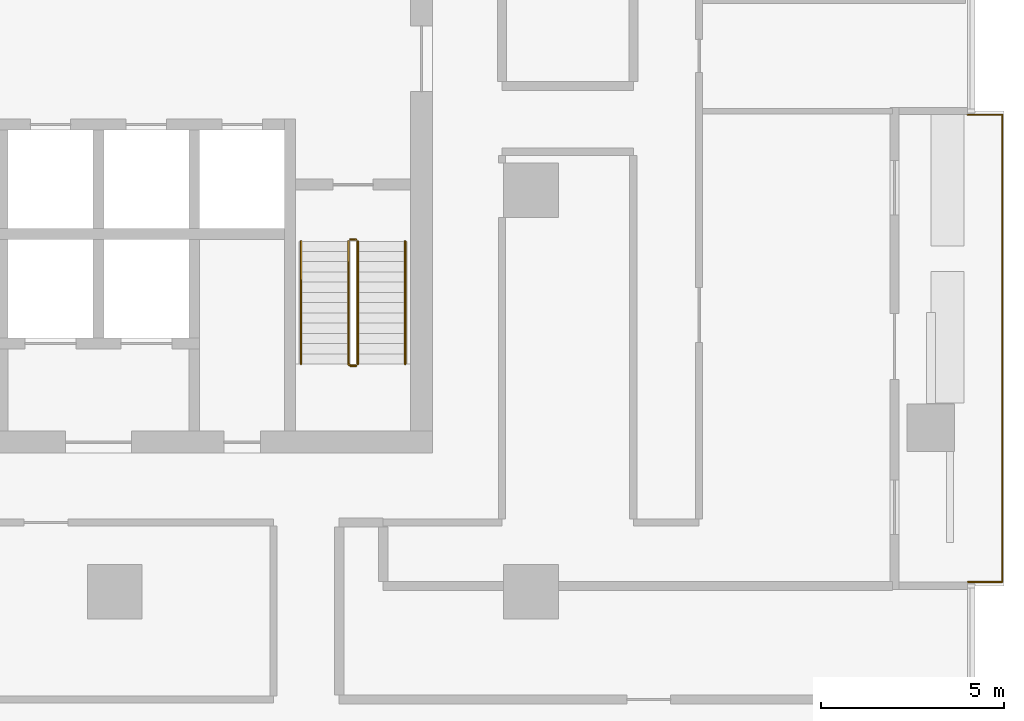
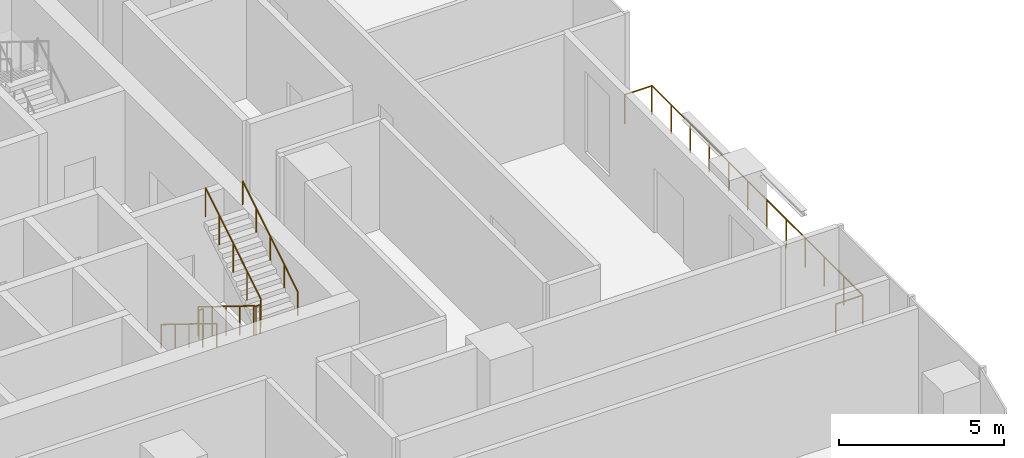
# One storey, part 13 of 14: 6 railings.
"""IFC4 building model written with IfcOpenShell, lengths in metres."""

from ifc_helpers import new_model, si_unit, direction, frame, origin, origin_2d, place, context, subcontext, project, spatial, circle, extrude, material, type_object, element, save


model = new_model("IFC4")

# Units and contexts
model_context = context("Model", 3, precision=1e-05, world=origin(), true_north=direction((0.0, 1.0)))
body_context = subcontext(model_context, "Body", "Model", "MODEL_VIEW")
ifc_project = project(units=[si_unit("LENGTHUNIT", "METRE"), si_unit("AREAUNIT", "SQUARE_METRE"), si_unit("VOLUMEUNIT", "CUBIC_METRE"), si_unit("PLANEANGLEUNIT", "RADIAN"), si_unit("MASSUNIT", "GRAM", prefix="KILO")], contexts=[model_context])

# Site, building, storey
site_placement = place(None, origin())
site = spatial("IfcSite", under=ifc_project, at=site_placement, CompositionType="ELEMENT")
building_placement = place(site_placement, origin())
building = spatial("IfcBuilding", under=site, at=building_placement, Name="Mopane Tessera Tower", CompositionType="ELEMENT")
storey_placement = place(building_placement, frame((0.0, 0.0, 139.60009765625)))
storey = spatial("IfcBuildingStorey", under=building, at=storey_placement, Name="L28", CompositionType="ELEMENT", Elevation=139.60009765625)

# Railings
ifc_material_1 = material(Name="Powder-coated steel balustrade", Category="steel")
railing_type_1 = type_object("IfcRailingType", Name="Escape stair guard 1100 mm", PredefinedType="GUARDRAIL", material=ifc_material_1)
railing_1_placement = place(storey_placement, frame((12.10009765625, -1.39990234375, 0.173095703125)))
element("IfcRailing", 1, at=railing_1_placement, inside=storey, type_object=railing_type_1, Name="L28 ST3 stair guard 1", PredefinedType="GUARDRAIL", context=body_context, shape_type="SweptSolid", body=[
    extrude(circle(Radius=0.02392578125, at=origin_2d()), frame((0.0, 0.0, 1.076171875), z_axis=(0.0, -0.850623216509, 0.525775754039), x_axis=(1.0, 0.0, 0.0)), (0.0, 0.0, 1.0), 3.9501953125),
    extrude(circle(Radius=0.02392578125, at=origin_2d()), frame((0.0, -3.360107421875, 3.15283203125), z_axis=(0.705375805398, -0.708833529934, 0.0), x_axis=(0.708833529934, 0.705375805398, 0.0)), (0.0, 0.0, 1.0), 0.070556640625),
    extrude(circle(Radius=0.02392578125, at=origin_2d()), frame((0.0498046875, -3.41015625, 3.15283203125), z_axis=(1.0, 0.0, 0.0), x_axis=(0.0, 1.0, 0.0)), (0.0, 0.0, 1.0), 0.150146484375),
    extrude(circle(Radius=0.02099609375, at=origin_2d()), origin(), (0.0, 0.0, 1.0), 1.052001953125),
    extrude(circle(Radius=0.02099609375, at=origin_2d()), frame((0.0, -0.840087890625, 0.519287109375)), (0.0, 0.0, 1.0), 1.052001953125),
    extrude(circle(Radius=0.02099609375, at=origin_2d()), frame((0.0, -1.68017578125, 1.03857421875)), (0.0, 0.0, 1.0), 1.052001953125),
    extrude(circle(Radius=0.02099609375, at=origin_2d()), frame((0.0, -2.52001953125, 1.5576171875)), (0.0, 0.0, 1.0), 1.052001953125),
    extrude(circle(Radius=0.02099609375, at=origin_2d()), frame((0.0, -3.360107421875, 2.076904296875)), (0.0, 0.0, 1.0), 1.052001953125),
    extrude(circle(Radius=0.02099609375, at=origin_2d()), frame((0.0498046875, -3.41015625, 2.076904296875)), (0.0, 0.0, 1.0), 1.052001953125),
    extrude(circle(Radius=0.02099609375, at=origin_2d()), frame((0.199951171875, -3.41015625, 2.076904296875)), (0.0, 0.0, 1.0), 1.052001953125),
])
railing_2_placement = place(storey_placement, frame((12.35009765625, -4.760009765625, 2.423095703125)))
element("IfcRailing", 2, at=railing_2_placement, inside=storey, type_object=railing_type_1, Name="L28 ST3 stair guard 2", PredefinedType="GUARDRAIL", context=body_context, shape_type="SweptSolid", body=[
    extrude(circle(Radius=0.02392578125, at=origin_2d()), frame((0.0, 0.0, 1.076171875), z_axis=(0.0, 0.850623216509, 0.525775754039), x_axis=(-1.0, 0.0, 0.0)), (0.0, 0.0, 1.0), 3.9501953125),
    extrude(circle(Radius=0.02099609375, at=origin_2d()), origin(), (0.0, 0.0, 1.0), 1.052001953125),
    extrude(circle(Radius=0.02099609375, at=origin_2d()), frame((0.0, 0.840087890625, 0.519287109375)), (0.0, 0.0, 1.0), 1.052001953125),
    extrude(circle(Radius=0.02099609375, at=origin_2d()), frame((0.0, 1.68017578125, 1.03857421875)), (0.0, 0.0, 1.0), 1.052001953125),
    extrude(circle(Radius=0.02099609375, at=origin_2d()), frame((0.0, 2.52001953125, 1.5576171875)), (0.0, 0.0, 1.0), 1.052001953125),
    extrude(circle(Radius=0.02099609375, at=origin_2d()), frame((0.0, 3.360107421875, 2.076904296875)), (0.0, 0.0, 1.0), 1.052001953125),
])
railing_3_placement = place(storey_placement, frame((12.14990234375, -1.35009765625, 0.0)))
element("IfcRailing", 3, at=railing_3_placement, inside=storey, type_object=railing_type_1, Name="L28 ST3 stair guard 3", PredefinedType="GUARDRAIL", context=body_context, shape_type="SweptSolid", body=[
    extrude(circle(Radius=0.02392578125, at=origin_2d()), frame((0.0, 0.0, 1.076171875), z_axis=(1.0, 0.0, 0.0), x_axis=(0.0, 1.0, 0.0)), (0.0, 0.0, 1.0), 0.150146484375),
    extrude(circle(Radius=0.02099609375, at=origin_2d()), origin(), (0.0, 0.0, 1.0), 1.052001953125),
    extrude(circle(Radius=0.02099609375, at=origin_2d()), frame((0.150146484375, 0.0, 0.0)), (0.0, 0.0, 1.0), 1.052001953125),
])
ifc_material_2 = material(Name="Powder-coated steel balustrade", Category="steel")
railing_type_2 = type_object("IfcRailingType", Name="Escape stair handrail 900 mm", PredefinedType="HANDRAIL", material=ifc_material_2)
railing_4_placement = place(storey_placement, frame((10.800048828125, -1.39990234375, 0.173095703125)))
element("IfcRailing", 4, at=railing_4_placement, inside=storey, type_object=railing_type_2, Name="L28 ST3 stair handrail 1", PredefinedType="HANDRAIL", context=body_context, shape_type="SweptSolid", body=[
    extrude(circle(Radius=0.02392578125, at=origin_2d()), frame((0.0, 0.0, 0.8759765625), z_axis=(0.0, -0.850623216509, 0.525775754039), x_axis=(1.0, 0.0, 0.0)), (0.0, 0.0, 1.0), 3.9501953125),
    extrude(circle(Radius=0.02099609375, at=origin_2d()), origin(), (0.0, 0.0, 1.0), 0.851806640625),
    extrude(circle(Radius=0.02099609375, at=origin_2d()), frame((0.0, -0.840087890625, 0.519287109375)), (0.0, 0.0, 1.0), 0.851806640625),
    extrude(circle(Radius=0.02099609375, at=origin_2d()), frame((0.0, -1.68017578125, 1.03857421875)), (0.0, 0.0, 1.0), 0.851806640625),
    extrude(circle(Radius=0.02099609375, at=origin_2d()), frame((0.0, -2.52001953125, 1.5576171875)), (0.0, 0.0, 1.0), 0.851806640625),
    extrude(circle(Radius=0.02099609375, at=origin_2d()), frame((0.0, -3.360107421875, 2.076904296875)), (0.0, 0.0, 1.0), 0.851806640625),
])
railing_5_placement = place(storey_placement, frame((13.64990234375, -4.760009765625, 2.423095703125)))
element("IfcRailing", 5, at=railing_5_placement, inside=storey, type_object=railing_type_2, Name="L28 ST3 stair handrail 2", PredefinedType="HANDRAIL", context=body_context, shape_type="SweptSolid", body=[
    extrude(circle(Radius=0.02392578125, at=origin_2d()), frame((0.0, 0.0, 0.8759765625), z_axis=(0.0, 0.850623216509, 0.525775754039), x_axis=(-1.0, 0.0, 0.0)), (0.0, 0.0, 1.0), 3.9501953125),
    extrude(circle(Radius=0.02099609375, at=origin_2d()), origin(), (0.0, 0.0, 1.0), 0.851806640625),
    extrude(circle(Radius=0.02099609375, at=origin_2d()), frame((0.0, 0.840087890625, 0.519287109375)), (0.0, 0.0, 1.0), 0.851806640625),
    extrude(circle(Radius=0.02099609375, at=origin_2d()), frame((0.0, 1.68017578125, 1.03857421875)), (0.0, 0.0, 1.0), 0.851806640625),
    extrude(circle(Radius=0.02099609375, at=origin_2d()), frame((0.0, 2.52001953125, 1.5576171875)), (0.0, 0.0, 1.0), 0.851806640625),
    extrude(circle(Radius=0.02099609375, at=origin_2d()), frame((0.0, 3.360107421875, 2.076904296875)), (0.0, 0.0, 1.0), 0.851806640625),
])
ifc_material_3 = material(Name="Stainless steel S316", Category="steel")
railing_type_3 = type_object("IfcRailingType", Name="Terrace guard 1100", PredefinedType="GUARDRAIL", material=ifc_material_3)
railing_6_placement = place(storey_placement, frame((29.050048828125, -10.7333984375, 0.0)))
element("IfcRailing", 6, at=railing_6_placement, inside=storey, type_object=railing_type_3, Name="e:nw:L28:N3:guard", PredefinedType="GUARDRAIL", context=body_context, shape_type="SweptSolid", body=[
    extrude(circle(Radius=0.02392578125, at=origin_2d()), frame((0.0, 0.0, 1.076171875), z_axis=(1.0, 0.0, 0.0), x_axis=(0.0, 1.0, 0.0)), (0.0, 0.0, 1.0), 0.949951171875),
    extrude(circle(Radius=0.02392578125, at=origin_2d()), frame((0.949951171875, 0.0, 1.076171875), z_axis=(0.0, 1.0, 0.0), x_axis=(-1.0, 0.0, 0.0)), (0.0, 0.0, 1.0), 12.800048828125),
    extrude(circle(Radius=0.02392578125, at=origin_2d()), frame((0.949951171875, 12.800048828125, 1.076171875), z_axis=(-1.0, 0.0, 0.0), x_axis=(0.0, -1.0, 0.0)), (0.0, 0.0, 1.0), 0.949951171875),
    extrude(circle(Radius=0.02099609375, at=origin_2d()), origin(), (0.0, 0.0, 1.0), 1.052001953125),
    extrude(circle(Radius=0.02099609375, at=origin_2d()), frame((0.949951171875, 0.0, 0.0)), (0.0, 0.0, 1.0), 1.052001953125),
    extrude(circle(Radius=0.02099609375, at=origin_2d()), frame((0.949951171875, 1.16357421875, 0.0)), (0.0, 0.0, 1.0), 1.052001953125),
    extrude(circle(Radius=0.02099609375, at=origin_2d()), frame((0.949951171875, 2.327392578125, 0.0)), (0.0, 0.0, 1.0), 1.052001953125),
    extrude(circle(Radius=0.02099609375, at=origin_2d()), frame((0.949951171875, 3.490966796875, 0.0)), (0.0, 0.0, 1.0), 1.052001953125),
    extrude(circle(Radius=0.02099609375, at=origin_2d()), frame((0.949951171875, 4.654541015625, 0.0)), (0.0, 0.0, 1.0), 1.052001953125),
    extrude(circle(Radius=0.02099609375, at=origin_2d()), frame((0.949951171875, 5.818115234375, 0.0)), (0.0, 0.0, 1.0), 1.052001953125),
    extrude(circle(Radius=0.02099609375, at=origin_2d()), frame((0.949951171875, 6.98193359375, 0.0)), (0.0, 0.0, 1.0), 1.052001953125),
    extrude(circle(Radius=0.02099609375, at=origin_2d()), frame((0.949951171875, 8.1455078125, 0.0)), (0.0, 0.0, 1.0), 1.052001953125),
    extrude(circle(Radius=0.02099609375, at=origin_2d()), frame((0.949951171875, 9.30908203125, 0.0)), (0.0, 0.0, 1.0), 1.052001953125),
    extrude(circle(Radius=0.02099609375, at=origin_2d()), frame((0.949951171875, 10.47265625, 0.0)), (0.0, 0.0, 1.0), 1.052001953125),
    extrude(circle(Radius=0.02099609375, at=origin_2d()), frame((0.949951171875, 11.636474609375, 0.0)), (0.0, 0.0, 1.0), 1.052001953125),
    extrude(circle(Radius=0.02099609375, at=origin_2d()), frame((0.949951171875, 12.800048828125, 0.0)), (0.0, 0.0, 1.0), 1.052001953125),
    extrude(circle(Radius=0.02099609375, at=origin_2d()), frame((0.0, 12.800048828125, 0.0)), (0.0, 0.0, 1.0), 1.052001953125),
])

save(model, "model.ifc")
